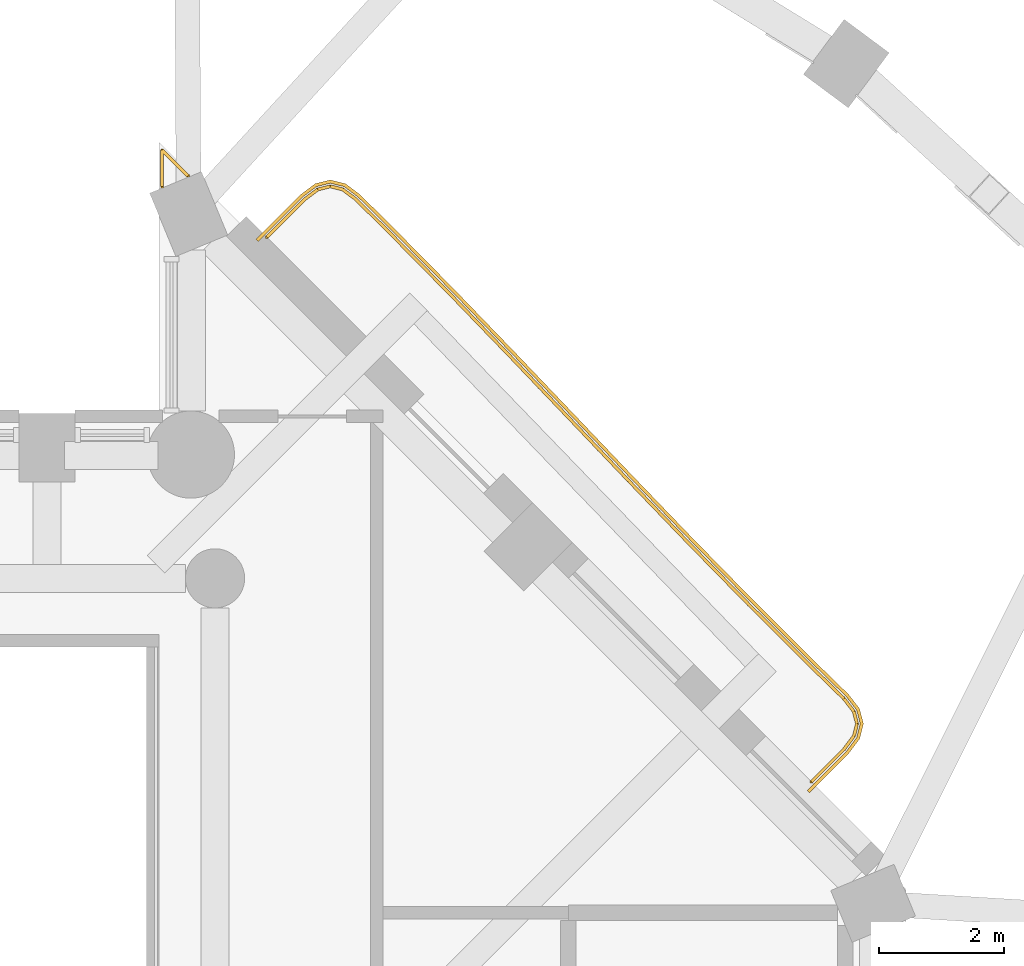
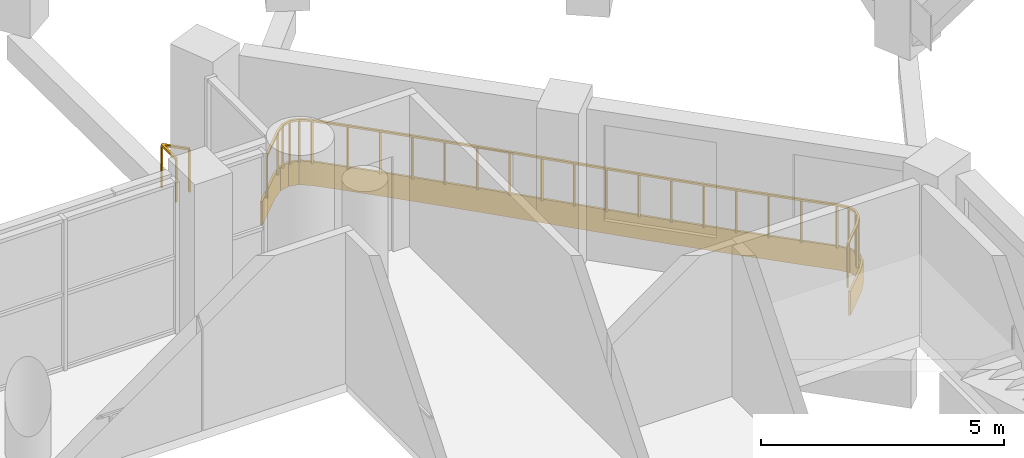
# One storey, part 15 of 15: 2 railings, 1 covering.
"""IFC4 building model written with IfcOpenShell, lengths in metres."""

from ifc_helpers import new_model, si_unit, direction, frame, origin, origin_2d, place, context, subcontext, project, spatial, polyline, rectangle, outline, extrude, material, layer, layer_set, type_object, element, save


model = new_model("IFC4")

# Units and contexts
model_context = context("Model", 3, precision=1e-05, world=origin(), true_north=direction((0.0, 1.0)))
body_context = subcontext(model_context, "Body", "Model", "MODEL_VIEW")
ifc_project = project(units=[si_unit("LENGTHUNIT", "METRE"), si_unit("AREAUNIT", "SQUARE_METRE"), si_unit("VOLUMEUNIT", "CUBIC_METRE"), si_unit("PLANEANGLEUNIT", "RADIAN"), si_unit("MASSUNIT", "GRAM", prefix="KILO")], contexts=[model_context])

# Site, building, storey
site_placement = place(None, origin())
site = spatial("IfcSite", under=ifc_project, at=site_placement, CompositionType="ELEMENT")
building_placement = place(site_placement, origin())
building = spatial("IfcBuilding", under=site, at=building_placement, Name="Cypress Arch Tower", CompositionType="ELEMENT")
storey_placement = place(building_placement, frame((0.0, 0.0, 205.60009765625)))
storey = spatial("IfcBuildingStorey", under=building, at=storey_placement, Name="L45", CompositionType="ELEMENT", Elevation=205.60009765625)

# Covering
ifc_material_1 = material(Name="White powder-coated aluminium fascia", Category="aluminium")
ifc_layer = layer(ifc_material_1, 0.050048828125)
ifc_layer_set = layer_set([ifc_layer], Name="Balcony fascia BF50")
covering_type = type_object("IfcCoveringType", Name="Balcony fascia BF50", PredefinedType="CLADDING", material=ifc_layer_set)
covering_placement = place(storey_placement, frame((0.0, 0.0, -0.60009765625)))
element("IfcCovering", 1, at=covering_placement, inside=storey, type_object=covering_type, Name="Balcony fascia L45-B05", PredefinedType="CLADDING", context=body_context, shape_type="SweptSolid", body=[
    extrude(outline(polyline([(10.37548828125, 16.164306640625), (10.607177734375, 16.337890625), (10.849853515625, 16.39892578125), (11.0927734375, 16.339111328125), (11.324951171875, 16.16650390625), (11.868896484375, 15.62744140625), (12.842041015625, 14.639892578125), (13.8046875, 13.642578125), (14.76123046875, 12.639404296875), (15.716796875, 11.635498046875), (16.67724609375, 10.63671875), (17.646484375, 9.647216796875), (18.627197265625, 8.66943359375), (19.175537109375, 8.13525390625), (19.351806640625, 7.90625), (19.414306640625, 7.66552734375), (19.354736328125, 7.424072265625), (19.181640625, 7.19287109375), (18.545166015625, 6.556396484375), (18.509765625, 6.591796875), (19.143798828125, 7.2255859375), (19.30859375, 7.44580078125), (19.36279296875, 7.665283203125), (19.305908203125, 7.8837890625), (19.137939453125, 8.101806640625), (18.59228515625, 8.6337890625), (17.61083984375, 9.612060546875), (16.641357421875, 10.601806640625), (15.6806640625, 11.60107421875), (14.72509765625, 12.60498046875), (13.7685546875, 13.60791015625), (12.80615234375, 14.60498046875), (11.83349609375, 15.592041015625), (11.292236328125, 16.12841796875), (11.071044921875, 16.29296875), (10.849853515625, 16.347412109375), (10.62890625, 16.2919921875), (10.408447265625, 16.12646484375), (9.691650390625, 15.40966796875), (9.65625, 15.445068359375), (10.37548828125, 16.164306640625)])), origin(), (0.0, 0.0, 1.0), 0.60009765625),
])

# Railings
ifc_material_2 = material(Name="Powder-coated steel posts and rods, 100 mm clear between rods", Category="steel")
railing_type_1 = type_object("IfcRailingType", Name="Balcony guard GR1100", PredefinedType="GUARDRAIL", material=ifc_material_2)
railing_1_placement = place(storey_placement, frame((9.83251953125, 15.479736328125, 0.0)))
element("IfcRailing", 2, at=railing_1_placement, inside=storey, type_object=railing_type_1, Name="Balcony guard L45-B05", PredefinedType="GUARDRAIL", context=body_context, shape_type="SweptSolid", body=[
    extrude(rectangle(XDim=0.050048828125, YDim=0.050048828125, at=origin_2d()), frame((0.0, 0.0, 1.0751953125), z_axis=(0.706964976963, 0.707248556978, 0.0), x_axis=(-0.707248556978, 0.706964976963, 0.0)), (0.0, 0.0, 1.0), 0.86083984375),
    extrude(rectangle(XDim=0.050048828125, YDim=0.050048828125, at=origin_2d()), frame((0.608642578125, 0.60888671875, 1.0751953125), z_axis=(0.800111759589, 0.599850958295, 0.0), x_axis=(-0.599850958295, 0.800111759589, 0.0)), (0.0, 0.0, 1.0), 0.26220703125),
    extrude(rectangle(XDim=0.050048828125, YDim=0.050048828125, at=origin_2d()), frame((0.818359375, 0.76611328125, 1.0751953125), z_axis=(0.969791511213, 0.243935288097, 0.0), x_axis=(-0.243935288097, 0.969791511213, 0.0)), (0.0, 0.0, 1.0), 0.205078125),
    extrude(rectangle(XDim=0.050048828125, YDim=0.050048828125, at=origin_2d()), frame((1.017333984375, 0.816162109375, 1.0751953125), z_axis=(0.97097662754, -0.239174389872, 0.0), x_axis=(0.239174389872, 0.97097662754, 0.0)), (0.0, 0.0, 1.0), 0.205078125),
    extrude(rectangle(XDim=0.050048828125, YDim=0.050048828125, at=origin_2d()), frame((1.216552734375, 0.76708984375, 1.0751953125), z_axis=(0.802896692497, -0.596118193966, 0.0), x_axis=(0.596118193966, 0.802896692497, 0.0)), (0.0, 0.0, 1.0), 0.26220703125),
    extrude(rectangle(XDim=0.050048828125, YDim=0.050048828125, at=origin_2d()), frame((1.427001953125, 0.61083984375, 1.0751953125), z_axis=(0.710319392693, -0.703879506993, 0.0), x_axis=(0.703879506993, 0.710319392693, 0.0)), (0.0, 0.0, 1.0), 0.75830078125),
    extrude(rectangle(XDim=0.050048828125, YDim=0.050048828125, at=origin_2d()), frame((1.965576171875, 0.0771484375, 1.0751953125), z_axis=(0.701799722698, -0.712374304155, 0.0), x_axis=(0.712374304155, 0.701799722698, 0.0)), (0.0, 0.0, 1.0), 1.38525390625),
    extrude(rectangle(XDim=0.050048828125, YDim=0.050048828125, at=origin_2d()), frame((2.937744140625, -0.90966796875, 1.0751953125), z_axis=(0.694663697614, -0.719334655926, 0.0), x_axis=(0.719334655926, 0.694663697614, 0.0)), (0.0, 0.0, 1.0), 1.385498046875),
    extrude(rectangle(XDim=0.050048828125, YDim=0.050048828125, at=origin_2d()), frame((3.900146484375, -1.90625, 1.0751953125), z_axis=(0.689993789522, -0.723815287502, 0.0), x_axis=(0.723815287502, 0.689993789522, 0.0)), (0.0, 0.0, 1.0), 1.385986328125),
    extrude(rectangle(XDim=0.050048828125, YDim=0.050048828125, at=origin_2d()), frame((4.8564453125, -2.909423828125, 1.0751953125), z_axis=(0.689452813361, -0.724330600036, 0.0), x_axis=(0.724330600036, 0.689452813361, 0.0)), (0.0, 0.0, 1.0), 1.385986328125),
    extrude(rectangle(XDim=0.050048828125, YDim=0.050048828125, at=origin_2d()), frame((5.81201171875, -3.913330078125, 1.0751953125), z_axis=(0.693147428469, -0.720795839615, 0.0), x_axis=(0.720795839615, 0.693147428469, 0.0)), (0.0, 0.0, 1.0), 1.38623046875),
    extrude(rectangle(XDim=0.050048828125, YDim=0.050048828125, at=origin_2d()), frame((6.77294921875, -4.91259765625, 1.0751953125), z_axis=(0.699759657404, -0.714378346446, 0.0), x_axis=(0.714378346446, 0.699759657404, 0.0)), (0.0, 0.0, 1.0), 1.38623046875),
    extrude(rectangle(XDim=0.050048828125, YDim=0.050048828125, at=origin_2d()), frame((7.742919921875, -5.90283203125, 1.0751953125), z_axis=(0.708162688002, -0.70604929525, 0.0), x_axis=(0.70604929525, 0.708162688002, 0.0)), (0.0, 0.0, 1.0), 1.38623046875),
    extrude(rectangle(XDim=0.050048828125, YDim=0.050048828125, at=origin_2d()), frame((8.724609375, -6.881591796875, 1.0751953125), z_axis=(0.716217217176, -0.697877423206, 0.0), x_axis=(0.697877423206, 0.716217217176, 0.0)), (0.0, 0.0, 1.0), 0.7587890625),
    extrude(rectangle(XDim=0.050048828125, YDim=0.050048828125, at=origin_2d()), frame((9.26806640625, -7.4111328125, 1.0751953125), z_axis=(0.609665639808, -0.792658695554, 0.0), x_axis=(0.792658695554, 0.609665639808, 0.0)), (0.0, 0.0, 1.0), 0.261474609375),
    extrude(rectangle(XDim=0.050048828125, YDim=0.050048828125, at=origin_2d()), frame((9.427490234375, -7.618408203125, 1.0751953125), z_axis=(0.252421897147, -0.967617272397, 0.0), x_axis=(0.967617272397, 0.252421897147, 0.0)), (0.0, 0.0, 1.0), 0.203125),
    extrude(rectangle(XDim=0.050048828125, YDim=0.050048828125, at=origin_2d()), frame((9.478759765625, -7.81494140625, 1.0751953125), z_axis=(-0.239141067067, -0.970984835125, 0.0), x_axis=(0.970984835125, -0.239141067067, 0.0)), (0.0, 0.0, 1.0), 0.203125),
    extrude(rectangle(XDim=0.050048828125, YDim=0.050048828125, at=origin_2d()), frame((9.43017578125, -8.01220703125, 1.0751953125), z_axis=(-0.6, -0.8, 0.0), x_axis=(0.8, -0.6, 0.0)), (0.0, 0.0, 1.0), 0.26123046875),
    extrude(rectangle(XDim=0.050048828125, YDim=0.050048828125, at=origin_2d()), frame((9.2734375, -8.22119140625, 1.0751953125), z_axis=(-0.707106781187, -0.707106781187, 0.0), x_axis=(0.707106781187, -0.707106781187, 0.0)), (0.0, 0.0, 1.0), 0.744140625),
    extrude(rectangle(XDim=0.0400390625, YDim=0.0400390625, at=origin_2d()), origin(), (0.0, 0.0, 1.0), 1.050048828125),
    extrude(rectangle(XDim=0.0400390625, YDim=0.0400390625, at=origin_2d()), frame((0.608642578125, 0.60888671875, 0.0)), (0.0, 0.0, 1.0), 1.050048828125),
    extrude(rectangle(XDim=0.0400390625, YDim=0.0400390625, at=origin_2d()), frame((0.818359375, 0.76611328125, 0.0)), (0.0, 0.0, 1.0), 1.050048828125),
    extrude(rectangle(XDim=0.0400390625, YDim=0.0400390625, at=origin_2d()), frame((1.017333984375, 0.816162109375, 0.0)), (0.0, 0.0, 1.0), 1.050048828125),
    extrude(rectangle(XDim=0.0400390625, YDim=0.0400390625, at=origin_2d()), frame((1.216552734375, 0.76708984375, 0.0)), (0.0, 0.0, 1.0), 1.050048828125),
    extrude(rectangle(XDim=0.0400390625, YDim=0.0400390625, at=origin_2d()), frame((1.427001953125, 0.61083984375, 0.0)), (0.0, 0.0, 1.0), 1.050048828125),
    extrude(rectangle(XDim=0.0400390625, YDim=0.0400390625, at=origin_2d()), frame((1.965576171875, 0.0771484375, 0.0)), (0.0, 0.0, 1.0), 1.050048828125),
    extrude(rectangle(XDim=0.0400390625, YDim=0.0400390625, at=origin_2d()), frame((2.45166015625, -0.416259765625, 0.0)), (0.0, 0.0, 1.0), 1.050048828125),
    extrude(rectangle(XDim=0.0400390625, YDim=0.0400390625, at=origin_2d()), frame((2.937744140625, -0.90966796875, 0.0)), (0.0, 0.0, 1.0), 1.050048828125),
    extrude(rectangle(XDim=0.0400390625, YDim=0.0400390625, at=origin_2d()), frame((3.4189453125, -1.407958984375, 0.0)), (0.0, 0.0, 1.0), 1.050048828125),
    extrude(rectangle(XDim=0.0400390625, YDim=0.0400390625, at=origin_2d()), frame((3.900146484375, -1.90625, 0.0)), (0.0, 0.0, 1.0), 1.050048828125),
    extrude(rectangle(XDim=0.0400390625, YDim=0.0400390625, at=origin_2d()), frame((4.37841796875, -2.40771484375, 0.0)), (0.0, 0.0, 1.0), 1.050048828125),
    extrude(rectangle(XDim=0.0400390625, YDim=0.0400390625, at=origin_2d()), frame((4.8564453125, -2.909423828125, 0.0)), (0.0, 0.0, 1.0), 1.050048828125),
    extrude(rectangle(XDim=0.0400390625, YDim=0.0400390625, at=origin_2d()), frame((5.334228515625, -3.411376953125, 0.0)), (0.0, 0.0, 1.0), 1.050048828125),
    extrude(rectangle(XDim=0.0400390625, YDim=0.0400390625, at=origin_2d()), frame((5.81201171875, -3.913330078125, 0.0)), (0.0, 0.0, 1.0), 1.050048828125),
    extrude(rectangle(XDim=0.0400390625, YDim=0.0400390625, at=origin_2d()), frame((6.29248046875, -4.4130859375, 0.0)), (0.0, 0.0, 1.0), 1.050048828125),
    extrude(rectangle(XDim=0.0400390625, YDim=0.0400390625, at=origin_2d()), frame((6.77294921875, -4.91259765625, 0.0)), (0.0, 0.0, 1.0), 1.050048828125),
    extrude(rectangle(XDim=0.0400390625, YDim=0.0400390625, at=origin_2d()), frame((7.2578125, -5.40771484375, 0.0)), (0.0, 0.0, 1.0), 1.050048828125),
    extrude(rectangle(XDim=0.0400390625, YDim=0.0400390625, at=origin_2d()), frame((7.742919921875, -5.90283203125, 0.0)), (0.0, 0.0, 1.0), 1.050048828125),
    extrude(rectangle(XDim=0.0400390625, YDim=0.0400390625, at=origin_2d()), frame((8.23388671875, -6.39208984375, 0.0)), (0.0, 0.0, 1.0), 1.050048828125),
    extrude(rectangle(XDim=0.0400390625, YDim=0.0400390625, at=origin_2d()), frame((8.724609375, -6.881591796875, 0.0)), (0.0, 0.0, 1.0), 1.050048828125),
    extrude(rectangle(XDim=0.0400390625, YDim=0.0400390625, at=origin_2d()), frame((9.26806640625, -7.4111328125, 0.0)), (0.0, 0.0, 1.0), 1.050048828125),
    extrude(rectangle(XDim=0.0400390625, YDim=0.0400390625, at=origin_2d()), frame((9.427490234375, -7.618408203125, 0.0)), (0.0, 0.0, 1.0), 1.050048828125),
    extrude(rectangle(XDim=0.0400390625, YDim=0.0400390625, at=origin_2d()), frame((9.478759765625, -7.81494140625, 0.0)), (0.0, 0.0, 1.0), 1.050048828125),
    extrude(rectangle(XDim=0.0400390625, YDim=0.0400390625, at=origin_2d()), frame((9.43017578125, -8.01220703125, 0.0)), (0.0, 0.0, 1.0), 1.050048828125),
    extrude(rectangle(XDim=0.0400390625, YDim=0.0400390625, at=origin_2d()), frame((9.2734375, -8.22119140625, 0.0)), (0.0, 0.0, 1.0), 1.050048828125),
    extrude(rectangle(XDim=0.0400390625, YDim=0.0400390625, at=origin_2d()), frame((8.747314453125, -8.747314453125, 0.0)), (0.0, 0.0, 1.0), 1.050048828125),
])
ifc_material_3 = material(Name="Powder-coated steel posts and rods, 100 mm clear between rods", Category="steel")
railing_type_2 = type_object("IfcRailingType", Name="Corner guard GR1100C", PredefinedType="GUARDRAIL", material=ifc_material_3)
railing_2_placement = place(storey_placement, frame((8.14990234375, 16.290771484375, 0.0)))
element("IfcRailing", 3, at=railing_2_placement, inside=storey, type_object=railing_type_2, Name="Corner guard L45 7", PredefinedType="GUARDRAIL", context=body_context, shape_type="SweptSolid", body=[
    extrude(rectangle(XDim=0.050048828125, YDim=0.050048828125, at=origin_2d()), frame((0.0, 0.0, 1.0751953125), z_axis=(0.0, 1.0, 0.0), x_axis=(-1.0, 0.0, 0.0)), (0.0, 0.0, 1.0), 0.588623046875),
    extrude(rectangle(XDim=0.050048828125, YDim=0.050048828125, at=origin_2d()), frame((0.0, 0.588623046875, 1.0751953125), z_axis=(0.707106781187, -0.707106781187, 0.0), x_axis=(0.707106781187, 0.707106781187, 0.0)), (0.0, 0.0, 1.0), 0.588623046875),
    extrude(rectangle(XDim=0.0400390625, YDim=0.0400390625, at=origin_2d()), origin(), (0.0, 0.0, 1.0), 1.050048828125),
    extrude(rectangle(XDim=0.0400390625, YDim=0.0400390625, at=origin_2d()), frame((0.0, 0.588623046875, 0.0)), (0.0, 0.0, 1.0), 1.050048828125),
    extrude(rectangle(XDim=0.0400390625, YDim=0.0400390625, at=origin_2d()), frame((0.416259765625, 0.17236328125, 0.0)), (0.0, 0.0, 1.0), 1.050048828125),
])

save(model, "model.ifc")
